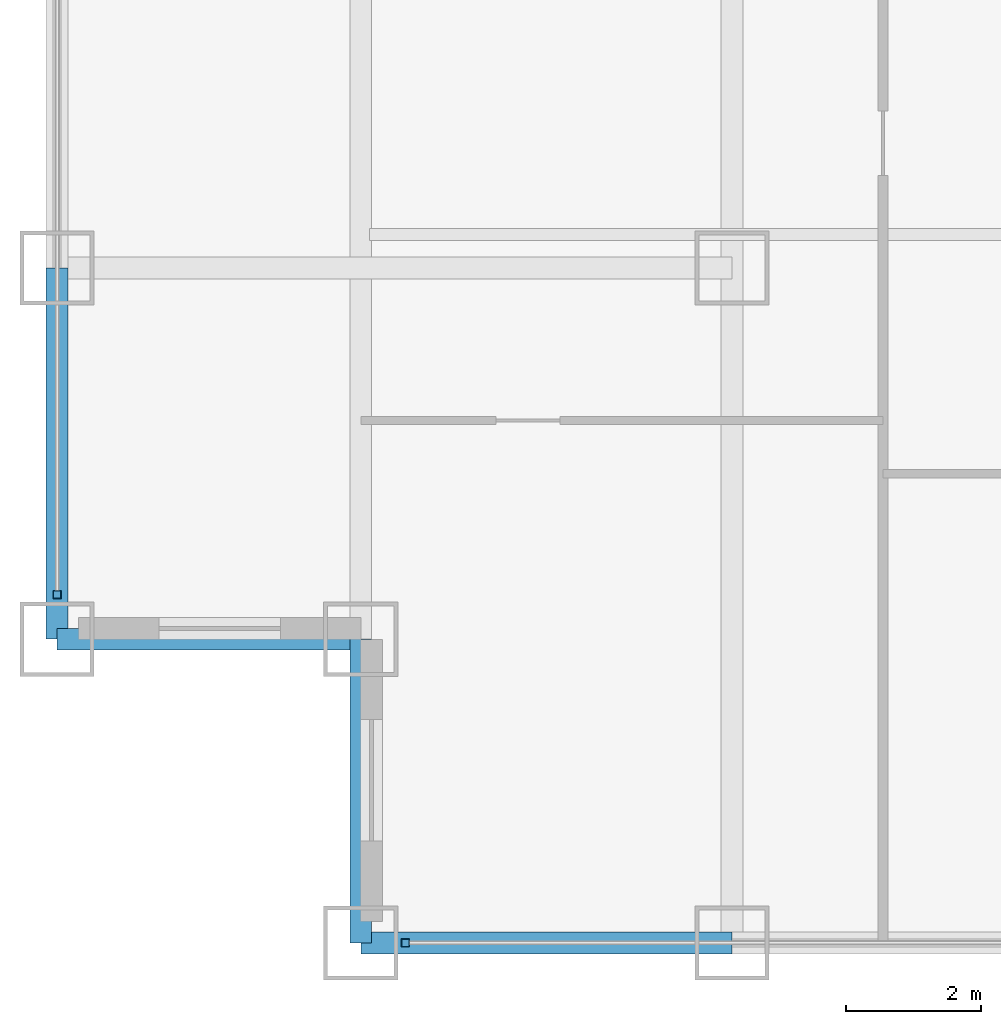
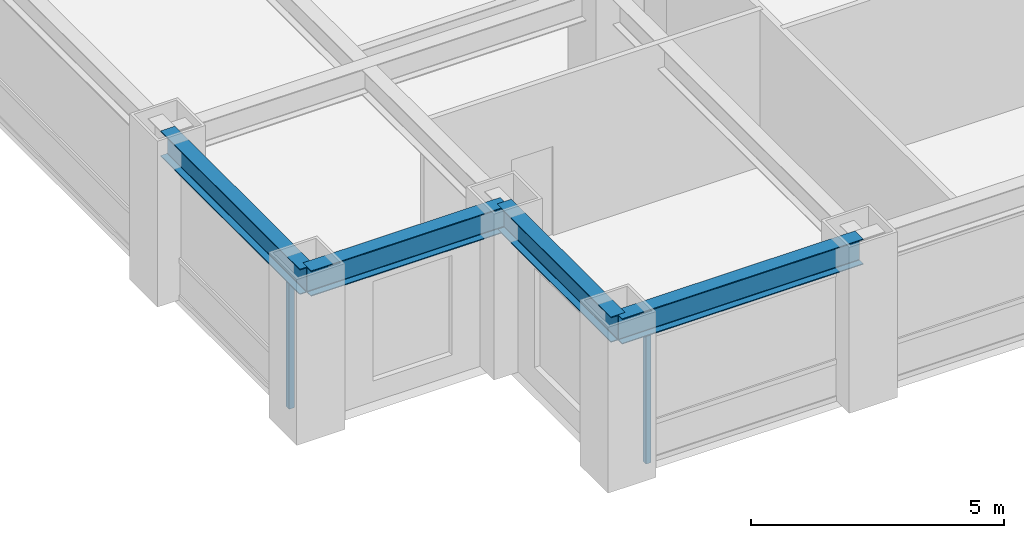
# One storey, part 2 of 24: 4 beams, 2 members, 2 elements without a shape of their own.
"""IFC4 building model written with IfcOpenShell, lengths in metres."""

from ifc_helpers import new_model, si_unit, direction, frame, origin, origin_2d, place, context, subcontext, project, spatial, hollow_rectangle, i_section, extrude, source, transform, mapped, material, material_profile, profile_set, type_object, element, aggregate, save


model = new_model("IFC4")

# Units and contexts
model_context = context("Model", 3, precision=1e-05, world=origin(), true_north=direction((0.0, 1.0)))
body_context = subcontext(model_context, "Body", "Model", "MODEL_VIEW")
ifc_project = project(units=[si_unit("LENGTHUNIT", "METRE"), si_unit("AREAUNIT", "SQUARE_METRE"), si_unit("VOLUMEUNIT", "CUBIC_METRE"), si_unit("PLANEANGLEUNIT", "RADIAN"), si_unit("MASSUNIT", "GRAM", prefix="KILO")], contexts=[model_context])

# Site, building, storey
site_placement = place(None, origin())
site = spatial("IfcSite", under=ifc_project, at=site_placement, CompositionType="ELEMENT")
building_placement = place(site_placement, origin())
building = spatial("IfcBuilding", under=site, at=building_placement, Name="Khorayat Bourse Tower", CompositionType="ELEMENT")
storey_placement = place(building_placement, frame((0.0, 0.0, 179.10009765625)))
storey = spatial("IfcBuildingStorey", under=building, at=storey_placement, Name="L41", CompositionType="ELEMENT", Elevation=179.10009765625)

# Beams
ifc_material_1 = material(Name="Steel ASTM A992 Grade 50", Category="steel")
ifc_material_profile_1 = material_profile(ifc_material_1, i_section(OverallWidth=0.324951171875, OverallDepth=0.615966796875, WebThickness=0.013916015625, FlangeThickness=0.021484375, FilletRadius=0.01611328125, at=origin_2d()), Name="W610X174")
ifc_profile_set_1 = profile_set([ifc_material_profile_1], Name="Steel ASTM A992 Grade 50")
beam_type = type_object("IfcBeamType", Name="BM-SPAN-610", PredefinedType="SPANDREL", material=ifc_profile_set_1)
shared_shape_1 = source(origin(), body_context, "Body", "SweptSolid", [
    extrude(i_section(OverallWidth=0.324951171875, OverallDepth=0.615966796875, WebThickness=0.013916015625, FlangeThickness=0.021484375, FilletRadius=0.01611328125, at=origin_2d()), origin(), (0.0, 0.0, 1.0), 5.5),
])
for number, where, z_axis, x_axis, name in (
    (1, (-25.5, -30.0, 3.471923828125), (1.0, 0.0, 0.0), (0.0, 1.0, 0.0), "L41 BM-SPAN-610 BM-L41-SPN-024"),
    (2, (-30.0, -25.5, 3.471923828125), (0.0, 1.0, 0.0), (-1.0, 0.0, 0.0), "L41 BM-SPAN-610 BM-L41-SPN-061"),
):
    element("IfcBeam", number, at=place(storey_placement, frame(where, z_axis=z_axis, x_axis=x_axis)), inside=storey, type_object=beam_type, Name=name, PredefinedType="SPANDREL", context=body_context, shape_type="MappedRepresentation", body=[
        mapped(shared_shape_1, transform((0.0, 0.0, 0.0), scale=1.0)),
    ])
shared_shape_2 = source(origin(), body_context, "Body", "SweptSolid", [
    extrude(i_section(OverallWidth=0.324951171875, OverallDepth=0.615966796875, WebThickness=0.013916015625, FlangeThickness=0.021484375, FilletRadius=0.01611328125, at=origin_2d()), origin(), (0.0, 0.0, 1.0), 4.5),
])
for number, where, z_axis, x_axis, name in (
    (3, (-30.0, -25.5, 3.471923828125), (1.0, 0.0, 0.0), (0.0, 1.0, 0.0), "L41 BM-SPAN-610 BM-L41-SPN-062"),
    (4, (-25.5, -30.0, 3.471923828125), (0.0, 1.0, 0.0), (-1.0, 0.0, 0.0), "L41 BM-SPAN-610 BM-L41-SPN-063"),
):
    element("IfcBeam", number, at=place(storey_placement, frame(where, z_axis=z_axis, x_axis=x_axis)), inside=storey, type_object=beam_type, Name=name, PredefinedType="SPANDREL", context=body_context, shape_type="MappedRepresentation", body=[
        mapped(shared_shape_2, transform((0.0, 0.0, 0.0), scale=1.0)),
    ])

# Curtain wall, member
ifc_material_2 = material(Name="Aluminium EN AW-6063 T6", Category="aluminium")
curtain_wall_type = type_object("IfcCurtainWallType", Name="CW-SYS-03", PredefinedType="NOTDEFINED", material=ifc_material_2)
curtain_wall_1_placement = place(storey_placement, origin())
curtain_wall_1 = element("IfcCurtainWall", 5, at=curtain_wall_1_placement, inside=storey, type_object=curtain_wall_type, Name="L41 Curtain Wall CW-L41-S1", PredefinedType="NOTDEFINED")
ifc_material_profile_2 = material_profile(ifc_material_2, hollow_rectangle(XDim=0.1201171875, YDim=0.1201171875, WallThickness=0.0048828125, at=origin_2d()), Name="ALU 120x120x5")
ifc_profile_set_2 = profile_set([ifc_material_profile_2], Name="Aluminium EN AW-6063 T6")
member_type = type_object("IfcMemberType", Name="CWM-VERT-120", PredefinedType="MULLION", material=ifc_profile_set_2)
shared_shape_3 = source(origin(), body_context, "Body", "SweptSolid", [
    extrude(hollow_rectangle(XDim=0.1201171875, YDim=0.1201171875, WallThickness=0.0048828125, at=origin_2d()), origin(), (0.0, 0.0, 1.0), 3.1298828125),
])
member_1_placement = place(storey_placement, frame((-24.840087890625, -30.0, 0.0), z_axis=(0.0, 0.0, 1.0), x_axis=(0.0, 1.0, 0.0)))
member_1 = element("IfcMember", 6, at=member_1_placement, type_object=member_type, Name="CW-L41-S1 Vertical Mullion 1", PredefinedType="MULLION", context=body_context, shape_type="MappedRepresentation", body=[
    mapped(shared_shape_3, transform((0.0, 0.0, 0.0), scale=1.0)),
])
aggregate(curtain_wall_1, [member_1])

curtain_wall_2_placement = place(storey_placement, origin())
curtain_wall_2 = element("IfcCurtainWall", 7, at=curtain_wall_2_placement, inside=storey, type_object=curtain_wall_type, Name="L41 Curtain Wall CW-L41-W1", PredefinedType="NOTDEFINED")
member_2_placement = place(storey_placement, frame((-30.0, -24.840087890625, 0.0), z_axis=(0.0, 0.0, 1.0), x_axis=(-1.0, 0.0, 0.0)))
member_2 = element("IfcMember", 8, at=member_2_placement, type_object=member_type, Name="CW-L41-W1 Vertical Mullion 1", PredefinedType="MULLION", context=body_context, shape_type="MappedRepresentation", body=[
    mapped(shared_shape_3, transform((0.0, 0.0, 0.0), scale=1.0)),
])
aggregate(curtain_wall_2, [member_2])

save(model, "model.ifc")
